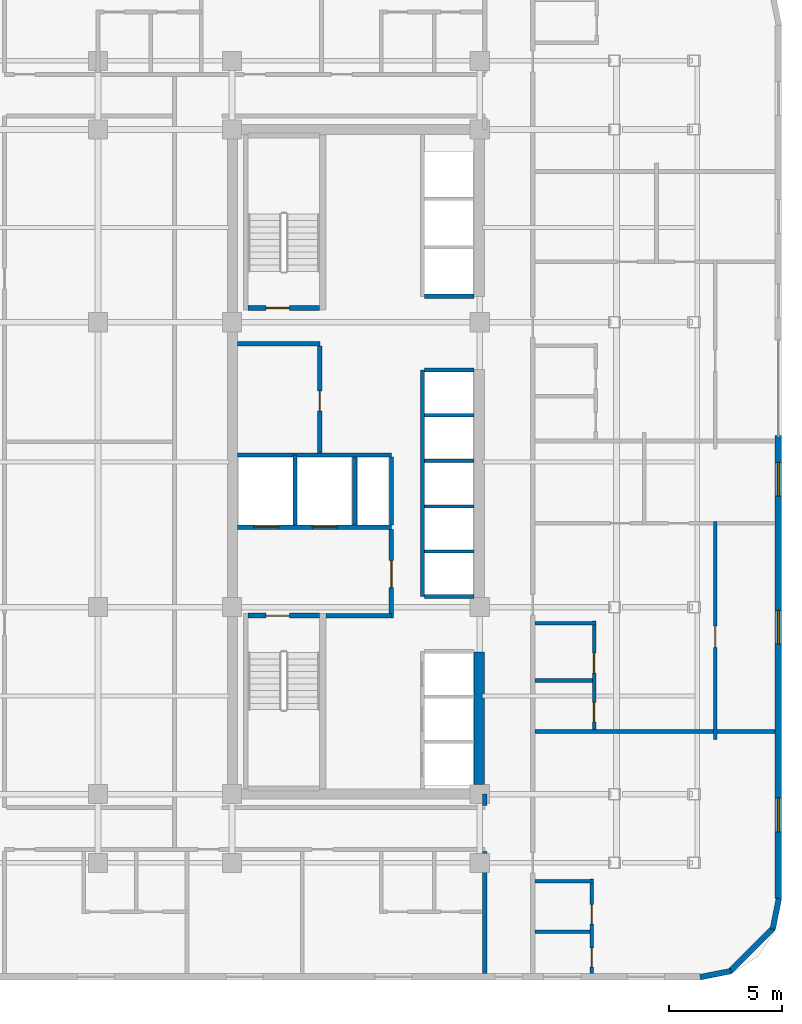
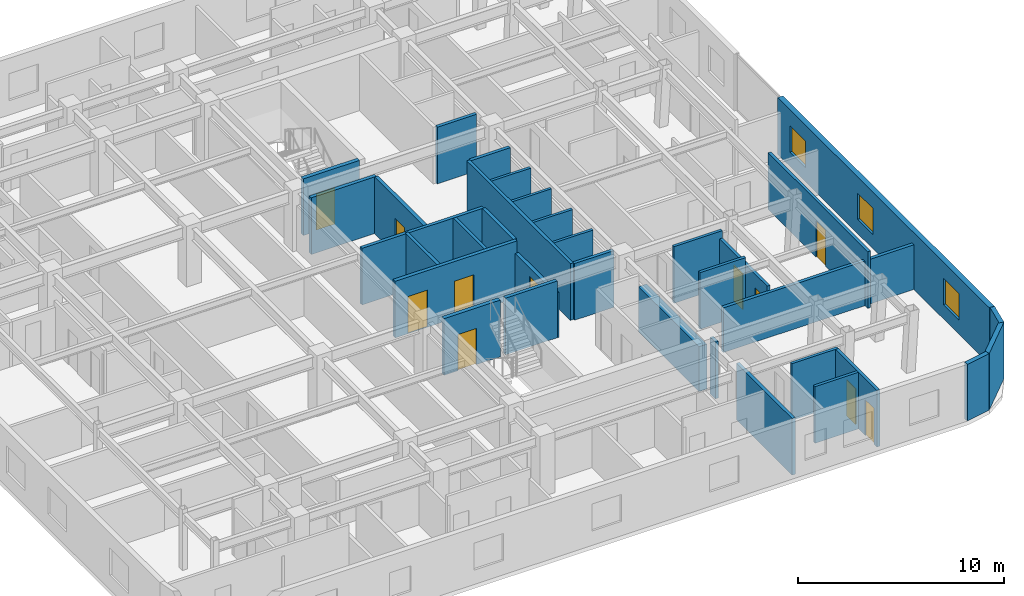
# One storey, part 9 of 13: 34 walls, 11 doors, 3 windows, 14 openings.
"""IFC4 building model written with IfcOpenShell, lengths in metres."""

from ifc_helpers import new_model, si_unit, direction, frame, frame_2d, origin, place, context, subcontext, project, spatial, rectangle, extrude, material, layer, layer_set, type_object, element, fill, save


model = new_model("IFC4")

# Units and contexts
model_context = context("Model", 3, precision=1e-05, world=origin(), true_north=direction((0.0, 1.0)))
body_context = subcontext(model_context, "Body", "Model", "MODEL_VIEW")
ifc_project = project(units=[si_unit("LENGTHUNIT", "METRE"), si_unit("AREAUNIT", "SQUARE_METRE"), si_unit("VOLUMEUNIT", "CUBIC_METRE"), si_unit("PLANEANGLEUNIT", "RADIAN"), si_unit("MASSUNIT", "GRAM", prefix="KILO")], contexts=[model_context])

# Site, building, storey
site_placement = place(None, origin())
site = spatial("IfcSite", under=ifc_project, at=site_placement, CompositionType="ELEMENT")
building_placement = place(site_placement, origin())
building = spatial("IfcBuilding", under=site, at=building_placement, Name="Ochreholt Gables", CompositionType="ELEMENT")
storey_placement = place(building_placement, frame((0.0, 0.0, 34.800048828125)))
storey = spatial("IfcBuildingStorey", under=building, at=storey_placement, Name="L08", CompositionType="ELEMENT", Elevation=34.800048828125)

# Wall
ifc_material_1 = material(Name="Concrete 60 MPa", Category="concrete")
ifc_layer_1 = layer(ifc_material_1, 0.449951171875, Name="Concrete 60 MPa")
ifc_layer_set_1 = layer_set([ifc_layer_1], Name="Concrete 60 MPa")
wall_type_1 = type_object("IfcWallType", Name="WALL-CSW-450", PredefinedType="SHEAR", material=ifc_layer_set_1)
wall_1_placement = place(storey_placement, frame((35.175048828125, 9.675048828125, 0.0), z_axis=(0.0, 0.0, 1.0), x_axis=(0.0, 1.0, 0.0)))
element("IfcWall", 1, at=wall_1_placement, inside=storey, type_object=wall_type_1, Name="L08 Core South-East Shear Wall", PredefinedType="SHEAR", context=body_context, shape_type="SweptSolid", body=[
    extrude(rectangle(XDim=5.875, YDim=0.449951171875, at=frame_2d((2.9375, 0.0))), origin(), (0.0, 0.0, 1.0), 2.6669921875),
])

# Wall, openings, windows
ifc_material_2 = material(Name="Precast concrete 40 MPa", Category="concrete")
ifc_layer_2 = layer(ifc_material_2, 0.2900390625, Name="Precast concrete 40 MPa")
ifc_layer_set_2 = layer_set([ifc_layer_2], Name="Precast concrete 40 MPa")
wall_type_2 = type_object("IfcWallType", Name="WALL-EXT-290", PredefinedType="SOLIDWALL", material=ifc_layer_set_2)
wall_2_placement = place(storey_placement, frame((48.455078125, 4.6201171875, 0.0), z_axis=(0.0, 0.0, 1.0), x_axis=(0.0, 1.0, 0.0)))
wall_2 = element("IfcWall", 2, at=wall_2_placement, inside=storey, type_object=wall_type_2, Name="L08 East Facade Wall 1", PredefinedType="SOLIDWALL", context=body_context, shape_type="SweptSolid", body=[
    extrude(rectangle(XDim=20.5498046875, YDim=0.2900390625, at=frame_2d((10.27490234375, 0.0))), origin(), (0.0, 0.0, 1.0), 3.35986328125),
])
opening_1_placement = place(wall_2_placement, frame((2.9599609375, 0.0, 0.85009765625)))
opening_1 = element("IfcOpeningElement", 3, at=opening_1_placement, cuts=wall_2, Name="Opening WN-2", PredefinedType="OPENING", context=body_context, shape_type="SweptSolid", body=[
    extrude(rectangle(XDim=1.5, YDim=1.550048828125, at=frame_2d((0.75, 0.77490234375))), frame((0.0, 0.155029296875, 0.0), z_axis=(0.0, -1.0, 0.0), x_axis=(1.0, 0.0, 0.0)), (0.0, 0.0, 1.0), 0.31005859375),
])
opening_2_placement = place(wall_2_placement, frame((11.2900390625, 0.0, 0.85009765625)))
opening_2 = element("IfcOpeningElement", 4, at=opening_2_placement, cuts=wall_2, Name="Opening WN-2", PredefinedType="OPENING", context=body_context, shape_type="SweptSolid", body=[
    extrude(rectangle(XDim=1.5, YDim=1.550048828125, at=frame_2d((0.75, 0.77490234375))), frame((0.0, 0.155029296875, 0.0), z_axis=(0.0, -1.0, 0.0), x_axis=(1.0, 0.0, 0.0)), (0.0, 0.0, 1.0), 0.31005859375),
])
opening_3_placement = place(wall_2_placement, frame((17.85498046875, 0.0, 0.85009765625)))
opening_3 = element("IfcOpeningElement", 5, at=opening_3_placement, cuts=wall_2, Name="Opening WN-2", PredefinedType="OPENING", context=body_context, shape_type="SweptSolid", body=[
    extrude(rectangle(XDim=1.5, YDim=1.550048828125, at=frame_2d((0.75, 0.77490234375))), frame((0.0, 0.155029296875, 0.0), z_axis=(0.0, -1.0, 0.0), x_axis=(1.0, 0.0, 0.0)), (0.0, 0.0, 1.0), 0.31005859375),
])
ifc_material_3 = material(Name="Triple-Glazed Thermally Broken Aluminium Window", Category="aluminium")
window_type = type_object("IfcWindowType", Name="WIN-RES-1500", PartitioningType="SINGLE_PANEL", PredefinedType="WINDOW", material=ifc_material_3)
window_1_placement = place(opening_1_placement, origin())
window_1 = element("IfcWindow", 6, at=window_1_placement, inside=storey, type_object=window_type, Name="L08 Window W-EXT-E1-L08-1", OverallHeight=1.550048828125, OverallWidth=1.5, PartitioningType="SINGLE_PANEL", PredefinedType="WINDOW", context=body_context, shape_type="SweptSolid", body=[
    extrude(rectangle(XDim=1.5, YDim=1.550048828125, at=frame_2d((0.75, 0.77490234375))), frame((0.0, 0.030029296875, 0.0), z_axis=(0.0, -1.0, 0.0), x_axis=(1.0, 0.0, 0.0)), (0.0, 0.0, 1.0), 0.06005859375),
])
fill(opening_1, window_1)
window_2_placement = place(opening_2_placement, origin())
window_2 = element("IfcWindow", 7, at=window_2_placement, inside=storey, type_object=window_type, Name="L08 Window W-EXT-E1-L08-2", OverallHeight=1.550048828125, OverallWidth=1.5, PartitioningType="SINGLE_PANEL", PredefinedType="WINDOW", context=body_context, shape_type="SweptSolid", body=[
    extrude(rectangle(XDim=1.5, YDim=1.550048828125, at=frame_2d((0.75, 0.77490234375))), frame((0.0, 0.030029296875, 0.0), z_axis=(0.0, -1.0, 0.0), x_axis=(1.0, 0.0, 0.0)), (0.0, 0.0, 1.0), 0.06005859375),
])
fill(opening_2, window_2)
window_3_placement = place(opening_3_placement, origin())
window_3 = element("IfcWindow", 8, at=window_3_placement, inside=storey, type_object=window_type, Name="L08 Window W-EXT-E1-L08-3", OverallHeight=1.550048828125, OverallWidth=1.5, PartitioningType="SINGLE_PANEL", PredefinedType="WINDOW", context=body_context, shape_type="SweptSolid", body=[
    extrude(rectangle(XDim=1.5, YDim=1.550048828125, at=frame_2d((0.75, 0.77490234375))), frame((0.0, 0.030029296875, 0.0), z_axis=(0.0, -1.0, 0.0), x_axis=(1.0, 0.0, 0.0)), (0.0, 0.0, 1.0), 0.06005859375),
])
fill(opening_3, window_3)

# Walls
ifc_layer_3 = layer(ifc_material_2, 0.25, Name="Precast concrete 40 MPa")
ifc_layer_set_3 = layer_set([ifc_layer_3], Name="Precast concrete 40 MPa")
wall_type_3 = type_object("IfcWallType", Name="WALL-EXT-CNR", PredefinedType="SOLIDWALL", material=ifc_layer_set_3)
wall_3_placement = place(storey_placement, frame((44.9833984375, 1.124267578125, 0.0), z_axis=(0.0, 0.0, 1.0), x_axis=(0.980809899341, 0.19496651342, 0.0)))
element("IfcWall", 9, at=wall_3_placement, inside=storey, type_object=wall_type_3, Name="L08 Rounded Corner Wall SE-1", PredefinedType="SOLIDWALL", context=body_context, shape_type="SweptSolid", body=[
    extrude(rectangle(XDim=1.388671875, YDim=0.25, at=frame_2d((0.6943359375, 0.0))), origin(), (0.0, 0.0, 1.0), 3.35986328125),
])
wall_4_placement = place(storey_placement, frame((46.294921875, 1.367919921875, 0.0), z_axis=(0.0, 0.0, 1.0), x_axis=(0.707106781187, 0.707106781187, 0.0)))
element("IfcWall", 10, at=wall_4_placement, inside=storey, type_object=wall_type_3, Name="L08 Rounded Corner Wall SE-2", PredefinedType="SOLIDWALL", context=body_context, shape_type="SweptSolid", body=[
    extrude(rectangle(XDim=2.7392578125, YDim=0.25, at=frame_2d((1.36962890625, 0.0))), origin(), (0.0, 0.0, 1.0), 3.35986328125),
])
wall_5_placement = place(storey_placement, frame((48.205078125, 3.25439453125, 0.0), z_axis=(0.0, 0.0, 1.0), x_axis=(0.19496651342, 0.980809899341, 0.0)))
element("IfcWall", 11, at=wall_5_placement, inside=storey, type_object=wall_type_3, Name="L08 Rounded Corner Wall SE-3", PredefinedType="SOLIDWALL", context=body_context, shape_type="SweptSolid", body=[
    extrude(rectangle(XDim=1.388671875, YDim=0.25, at=frame_2d((0.6943359375, 0.0))), origin(), (0.0, 0.0, 1.0), 3.35986328125),
])

# Wall, openings, doors
ifc_material_4 = material(Name="Concrete 40 MPa", Category="concrete")
ifc_layer_4 = layer(ifc_material_4, 0.199951171875, Name="Concrete 40 MPa")
ifc_layer_set_4 = layer_set([ifc_layer_4], Name="Concrete 40 MPa")
wall_type_4 = type_object("IfcWallType", Name="WALL-INT-CF200", PredefinedType="STANDARD", material=ifc_layer_set_4)
wall_6_placement = place(storey_placement, frame((24.449951171875, 21.090087890625, 0.0), z_axis=(0.0, 0.0, 1.0), x_axis=(1.0, 0.0, 0.0)))
wall_6 = element("IfcWall", 12, at=wall_6_placement, inside=storey, type_object=wall_type_4, Name="L08 Interior Wall WI-FFN-L08", PredefinedType="STANDARD", context=body_context, shape_type="SweptSolid", body=[
    extrude(rectangle(XDim=6.830078125, YDim=0.199951171875, at=frame_2d((3.4150390625, 0.0))), origin(), (0.0, 0.0, 1.0), 3.35986328125),
])
opening_4_placement = place(wall_6_placement, frame((0.719970703125, 0.0, 0.0)))
opening_4 = element("IfcOpeningElement", 13, at=opening_4_placement, cuts=wall_6, Name="Opening LD-FF", PredefinedType="OPENING", context=body_context, shape_type="SweptSolid", body=[
    extrude(rectangle(XDim=1.10009765625, YDim=2.199951171875, at=frame_2d((0.550048828125, 1.10009765625))), frame((0.0, 0.10986328125, 0.0), z_axis=(0.0, -1.0, 0.0), x_axis=(1.0, 0.0, 0.0)), (0.0, 0.0, 1.0), 0.219970703125),
])
opening_5_placement = place(wall_6_placement, frame((3.320068359375, 0.0, 0.0)))
opening_5 = element("IfcOpeningElement", 14, at=opening_5_placement, cuts=wall_6, Name="Opening LD-FF", PredefinedType="OPENING", context=body_context, shape_type="SweptSolid", body=[
    extrude(rectangle(XDim=1.10009765625, YDim=2.199951171875, at=frame_2d((0.550048828125, 1.10009765625))), frame((0.0, 0.10986328125, 0.0), z_axis=(0.0, -1.0, 0.0), x_axis=(1.0, 0.0, 0.0)), (0.0, 0.0, 1.0), 0.219970703125),
])
ifc_material_5 = material(Name="Stainless Steel", Category="steel")
door_type_1 = type_object("IfcDoorType", Name="DR-LFT-FF1100", OperationType="NOTDEFINED", PredefinedType="DOOR", material=ifc_material_5)
door_1_placement = place(opening_4_placement, origin())
door_1 = element("IfcDoor", 15, at=door_1_placement, inside=storey, type_object=door_type_1, Name="L08 Door LD-FF1-L08", OperationType="SLIDING_TO_LEFT", OverallHeight=2.199951171875, OverallWidth=1.10009765625, PredefinedType="DOOR", context=body_context, shape_type="SweptSolid", body=[
    extrude(rectangle(XDim=1.10009765625, YDim=2.199951171875, at=frame_2d((0.550048828125, 1.10009765625))), frame((0.0, 0.02490234375, 0.0), z_axis=(0.0, -1.0, 0.0), x_axis=(1.0, 0.0, 0.0)), (0.0, 0.0, 1.0), 0.050048828125),
])
fill(opening_4, door_1)
door_2_placement = place(opening_5_placement, origin())
door_2 = element("IfcDoor", 16, at=door_2_placement, inside=storey, type_object=door_type_1, Name="L08 Door LD-FF2-L08", OperationType="SLIDING_TO_LEFT", OverallHeight=2.199951171875, OverallWidth=1.10009765625, PredefinedType="DOOR", context=body_context, shape_type="SweptSolid", body=[
    extrude(rectangle(XDim=1.10009765625, YDim=2.199951171875, at=frame_2d((0.550048828125, 1.10009765625))), frame((0.0, 0.02490234375, 0.0), z_axis=(0.0, -1.0, 0.0), x_axis=(1.0, 0.0, 0.0)), (0.0, 0.0, 1.0), 0.050048828125),
])
fill(opening_5, door_2)

# Wall
wall_7_placement = place(storey_placement, frame((28.3798828125, 17.169921875, 0.0), z_axis=(0.0, 0.0, 1.0), x_axis=(1.0, 0.0, 0.0)))
element("IfcWall", 17, at=wall_7_placement, inside=storey, type_object=wall_type_4, Name="L08 Interior Wall WI-FFS-L08", PredefinedType="STANDARD", context=body_context, shape_type="SweptSolid", body=[
    extrude(rectangle(XDim=2.900146484375, YDim=0.199951171875, at=frame_2d((1.4501953125, 0.0))), origin(), (0.0, 0.0, 1.0), 3.35986328125),
])

# Wall, opening, door
wall_8_placement = place(storey_placement, frame((31.280029296875, 17.070068359375, 0.0), z_axis=(0.0, 0.0, 1.0), x_axis=(0.0, 1.0, 0.0)))
wall_8 = element("IfcWall", 18, at=wall_8_placement, inside=storey, type_object=wall_type_4, Name="L08 Interior Wall WI-FFE-L08", PredefinedType="STANDARD", context=body_context, shape_type="SweptSolid", body=[
    extrude(rectangle(XDim=3.919921875, YDim=0.199951171875, at=frame_2d((1.9599609375, 0.0))), origin(), (0.0, 0.0, 1.0), 2.64892578125),
])
opening_6_placement = place(wall_8_placement, frame((1.35009765625, 0.0, 0.0)))
opening_6 = element("IfcOpeningElement", 19, at=opening_6_placement, cuts=wall_8, Name="Opening D-FFL", PredefinedType="OPENING", context=body_context, shape_type="SweptSolid", body=[
    extrude(rectangle(XDim=1.199951171875, YDim=2.14990234375, at=frame_2d((0.60009765625, 1.074951171875))), frame((0.0, 0.10986328125, 0.0), z_axis=(0.0, -1.0, 0.0), x_axis=(1.0, 0.0, 0.0)), (0.0, 0.0, 1.0), 0.219970703125),
])
ifc_material_6 = material(Name="Hollow Metal Steel", Category="steel")
door_type_2 = type_object("IfcDoorType", Name="DR-INT-FFL1200", OperationType="NOTDEFINED", PredefinedType="DOOR", material=ifc_material_6)
door_3_placement = place(opening_6_placement, origin())
door_3 = element("IfcDoor", 20, at=door_3_placement, inside=storey, type_object=door_type_2, Name="L08 Door D-FFL-L08", OperationType="SINGLE_SWING_LEFT", OverallHeight=2.14990234375, OverallWidth=1.199951171875, PredefinedType="DOOR", context=body_context, shape_type="SweptSolid", body=[
    extrude(rectangle(XDim=1.199951171875, YDim=2.14990234375, at=frame_2d((0.60009765625, 1.074951171875))), frame((0.0, 0.02490234375, 0.0), z_axis=(0.0, -1.0, 0.0), x_axis=(1.0, 0.0, 0.0)), (0.0, 0.0, 1.0), 0.050048828125),
])
fill(opening_6, door_3)

# Wall
wall_9_placement = place(storey_placement, frame((24.449951171875, 29.239990234375, 0.0), z_axis=(0.0, 0.0, 1.0), x_axis=(1.0, 0.0, 0.0)))
element("IfcWall", 21, at=wall_9_placement, inside=storey, type_object=wall_type_4, Name="L08 Interior Wall WI-SRVN-L08", PredefinedType="STANDARD", context=body_context, shape_type="SweptSolid", body=[
    extrude(rectangle(XDim=3.650146484375, YDim=0.199951171875, at=frame_2d((1.8251953125, 0.0))), origin(), (0.0, 0.0, 1.0), 3.35986328125),
])

# Wall, opening, door
wall_10_placement = place(storey_placement, frame((28.10009765625, 24.389892578125, 0.0), z_axis=(0.0, 0.0, 1.0), x_axis=(0.0, 1.0, 0.0)))
wall_10 = element("IfcWall", 22, at=wall_10_placement, inside=storey, type_object=wall_type_4, Name="L08 Interior Wall WI-SRVE-L08", PredefinedType="STANDARD", context=body_context, shape_type="SweptSolid", body=[
    extrude(rectangle(XDim=4.75, YDim=0.199951171875, at=frame_2d((2.375, 0.0))), origin(), (0.0, 0.0, 1.0), 3.35986328125),
])
opening_7_placement = place(wall_10_placement, frame((1.860107421875, 0.0, 0.0)))
opening_7 = element("IfcOpeningElement", 23, at=opening_7_placement, cuts=wall_10, Name="Opening D-SV1", PredefinedType="OPENING", context=body_context, shape_type="SweptSolid", body=[
    extrude(rectangle(XDim=0.89990234375, YDim=2.10009765625, at=frame_2d((0.449951171875, 1.050048828125))), frame((0.0, 0.10986328125, 0.0), z_axis=(0.0, -1.0, 0.0), x_axis=(1.0, 0.0, 0.0)), (0.0, 0.0, 1.0), 0.219970703125),
])
door_type_3 = type_object("IfcDoorType", Name="DR-INT-SRV900", OperationType="NOTDEFINED", PredefinedType="DOOR", material=ifc_material_6)
door_4_placement = place(opening_7_placement, origin())
door_4 = element("IfcDoor", 24, at=door_4_placement, inside=storey, type_object=door_type_3, Name="L08 Door D-SRV1-L08", OperationType="SINGLE_SWING_LEFT", OverallHeight=2.10009765625, OverallWidth=0.89990234375, PredefinedType="DOOR", context=body_context, shape_type="SweptSolid", body=[
    extrude(rectangle(XDim=0.89990234375, YDim=2.10009765625, at=frame_2d((0.449951171875, 1.050048828125))), frame((0.0, 0.02490234375, 0.0), z_axis=(0.0, -1.0, 0.0), x_axis=(1.0, 0.0, 0.0)), (0.0, 0.0, 1.0), 0.050048828125),
])
fill(opening_7, door_4)

# Walls
ifc_material_7 = material(Name="Fire-Rated Gypsum Acoustic Partition", Category="gypsum")
ifc_layer_5 = layer(ifc_material_7, 0.179931640625, Name="Fire-Rated Gypsum Acoustic Partition")
ifc_layer_set_5 = layer_set([ifc_layer_5], Name="Fire-Rated Gypsum Acoustic Partition")
wall_type_5 = type_object("IfcWallType", Name="WALL-INT-CR180", PredefinedType="STANDARD", material=ifc_layer_set_5)
wall_11_placement = place(storey_placement, frame((35.419921875, 8.739990234375, 0.0), z_axis=(0.0, 0.0, 1.0), x_axis=(0.0, 1.0, 0.0)))
element("IfcWall", 25, at=wall_11_placement, inside=storey, type_object=wall_type_5, Name="L08 Interior Wall WI-C1ESW2-L08", PredefinedType="STANDARD", context=body_context, shape_type="SweptSolid", body=[
    extrude(rectangle(XDim=0.510009765625, YDim=0.179931640625, at=frame_2d((0.2548828125, 0.0))), origin(), (0.0, 0.0, 1.0), 3.35986328125),
])
ifc_material_8 = material(Name="Double-Stud Acoustic Demising Wall", Category="gypsum")
ifc_layer_6 = layer(ifc_material_8, 0.179931640625, Name="Double-Stud Acoustic Demising Wall")
ifc_layer_set_6 = layer_set([ifc_layer_6], Name="Double-Stud Acoustic Demising Wall")
wall_type_6 = type_object("IfcWallType", Name="WALL-INT-DM180", PredefinedType="PARTITIONING", material=ifc_layer_set_6)
wall_12_placement = place(storey_placement, frame((35.419921875, 1.2900390625, 0.0), z_axis=(0.0, 0.0, 1.0), x_axis=(0.0, 1.0, 0.0)))
element("IfcWall", 26, at=wall_12_placement, inside=storey, type_object=wall_type_6, Name="L08 Interior Wall WI-C1ESW-L08", PredefinedType="PARTITIONING", context=body_context, shape_type="SweptSolid", body=[
    extrude(rectangle(XDim=5.419921875, YDim=0.179931640625, at=frame_2d((2.7099609375, 0.0))), origin(), (0.0, 0.0, 1.0), 3.35986328125),
])
wall_13_placement = place(storey_placement, frame((37.639892578125, 12.0400390625, 0.0), z_axis=(0.0, 0.0, 1.0), x_axis=(1.0, 0.0, 0.0)))
element("IfcWall", 27, at=wall_13_placement, inside=storey, type_object=wall_type_6, Name="L08 Interior Wall WI-UDE2-L08", PredefinedType="PARTITIONING", context=body_context, shape_type="SweptSolid", body=[
    extrude(rectangle(XDim=10.670166015625, YDim=0.179931640625, at=frame_2d((5.3349609375, 0.0))), origin(), (0.0, 0.0, 1.0), 2.64892578125),
])
ifc_material_9 = material(Name="Moisture-Resistant Plumbing Chase Wall", Category="gypsum")
ifc_layer_7 = layer(ifc_material_9, 0.159912109375, Name="Moisture-Resistant Plumbing Chase Wall")
ifc_layer_set_7 = layer_set([ifc_layer_7], Name="Moisture-Resistant Plumbing Chase Wall")
wall_type_7 = type_object("IfcWallType", Name="WALL-INT-PL160", PredefinedType="PLUMBINGWALL", material=ifc_layer_set_7)
wall_14_placement = place(storey_placement, frame((37.639892578125, 5.389892578125, 0.0), z_axis=(0.0, 0.0, 1.0), x_axis=(1.0, 0.0, 0.0)))
element("IfcWall", 28, at=wall_14_placement, inside=storey, type_object=wall_type_7, Name="L08 Interior Wall WU-L08E1-WYN", PredefinedType="PLUMBINGWALL", context=body_context, shape_type="SweptSolid", body=[
    extrude(rectangle(XDim=2.606201171875, YDim=0.159912109375, at=frame_2d((1.30322265625, 0.0))), origin(), (0.0, 0.0, 1.0), 3.35986328125),
])

# Wall, openings, doors
wall_15_placement = place(storey_placement, frame((40.166015625, 1.2900390625, 0.0), z_axis=(0.0, 0.0, 1.0), x_axis=(0.0, 1.0, 0.0)))
wall_15 = element("IfcWall", 29, at=wall_15_placement, inside=storey, type_object=wall_type_7, Name="L08 Interior Wall WU-L08E1-WX", PredefinedType="PLUMBINGWALL", context=body_context, shape_type="SweptSolid", body=[
    extrude(rectangle(XDim=4.18994140625, YDim=0.159912109375, at=frame_2d((2.094970703125, 0.0))), origin(), (0.0, 0.0, 1.0), 3.35986328125),
])
opening_8_placement = place(wall_15_placement, frame((0.280029296875, 0.0, 0.0)))
opening_8 = element("IfcOpeningElement", 30, at=opening_8_placement, cuts=wall_15, Name="Opening D-BT1", PredefinedType="OPENING", context=body_context, shape_type="SweptSolid", body=[
    extrude(rectangle(XDim=0.860107421875, YDim=2.1201171875, at=frame_2d((0.43017578125, 1.06005859375))), frame((0.0, 0.08984375, 0.0), z_axis=(0.0, -1.0, 0.0), x_axis=(1.0, 0.0, 0.0)), (0.0, 0.0, 1.0), 0.179931640625),
])
opening_9_placement = place(wall_15_placement, frame((2.18896484375, 0.0, 0.0)))
opening_9 = element("IfcOpeningElement", 31, at=opening_9_placement, cuts=wall_15, Name="Opening D-GN2", PredefinedType="OPENING", context=body_context, shape_type="SweptSolid", body=[
    extrude(rectangle(XDim=0.8798828125, YDim=2.1201171875, at=frame_2d((0.43994140625, 1.06005859375))), frame((0.0, 0.08984375, 0.0), z_axis=(0.0, -1.0, 0.0), x_axis=(1.0, 0.0, 0.0)), (0.0, 0.0, 1.0), 0.179931640625),
])
ifc_material_10 = material(Name="Engineered Oak Timber", Category="wood")
door_type_4 = type_object("IfcDoorType", Name="DR-INT-BTH860", OperationType="NOTDEFINED", PredefinedType="DOOR", material=ifc_material_10)
door_5_placement = place(opening_8_placement, origin())
door_5 = element("IfcDoor", 32, at=door_5_placement, inside=storey, type_object=door_type_4, Name="L08 Door D-U-L08E1-BTH", OperationType="SINGLE_SWING_LEFT", OverallHeight=2.1201171875, OverallWidth=0.860107421875, PredefinedType="DOOR", context=body_context, shape_type="SweptSolid", body=[
    extrude(rectangle(XDim=0.860107421875, YDim=2.1201171875, at=frame_2d((0.43017578125, 1.06005859375))), frame((0.0, 0.02490234375, 0.0), z_axis=(0.0, -1.0, 0.0), x_axis=(1.0, 0.0, 0.0)), (0.0, 0.0, 1.0), 0.050048828125),
])
fill(opening_8, door_5)
door_type_5 = type_object("IfcDoorType", Name="DR-INT-GEN880", OperationType="NOTDEFINED", PredefinedType="DOOR", material=ifc_material_10)
door_6_placement = place(opening_9_placement, origin())
door_6 = element("IfcDoor", 33, at=door_6_placement, inside=storey, type_object=door_type_5, Name="L08 Door D-U-L08E1-KIT", OperationType="SINGLE_SWING_RIGHT", OverallHeight=2.1201171875, OverallWidth=0.8798828125, PredefinedType="DOOR", context=body_context, shape_type="SweptSolid", body=[
    extrude(rectangle(XDim=0.8798828125, YDim=2.1201171875, at=frame_2d((0.43994140625, 1.06005859375))), frame((0.0, 0.02490234375, 0.0), z_axis=(0.0, -1.0, 0.0), x_axis=(1.0, 0.0, 0.0)), (0.0, 0.0, 1.0), 0.050048828125),
])
fill(opening_9, door_6)

# Walls
wall_16_placement = place(storey_placement, frame((37.639892578125, 3.14892578125, 0.0), z_axis=(0.0, 0.0, 1.0), x_axis=(1.0, 0.0, 0.0)))
element("IfcWall", 34, at=wall_16_placement, inside=storey, type_object=wall_type_7, Name="L08 Interior Wall WU-L08E1-WM", PredefinedType="PLUMBINGWALL", context=body_context, shape_type="SweptSolid", body=[
    extrude(rectangle(XDim=2.446044921875, YDim=0.159912109375, at=frame_2d((1.22314453125, 0.0))), origin(), (0.0, 0.0, 1.0), 3.35986328125),
])
wall_17_placement = place(storey_placement, frame((37.639892578125, 16.8369140625, 0.0), z_axis=(0.0, 0.0, 1.0), x_axis=(1.0, 0.0, 0.0)))
element("IfcWall", 35, at=wall_17_placement, inside=storey, type_object=wall_type_7, Name="L08 Interior Wall WU-L08E2-FYN", PredefinedType="PLUMBINGWALL", context=body_context, shape_type="SweptSolid", body=[
    extrude(rectangle(XDim=2.712158203125, YDim=0.159912109375, at=frame_2d((1.35595703125, 0.0))), origin(), (0.0, 0.0, 1.0), 3.35986328125),
])

# Wall, openings, doors
wall_18_placement = place(storey_placement, frame((40.27197265625, 12.1298828125, 0.0), z_axis=(0.0, 0.0, 1.0), x_axis=(0.0, 1.0, 0.0)))
wall_18 = element("IfcWall", 36, at=wall_18_placement, inside=storey, type_object=wall_type_7, Name="L08 Interior Wall WU-L08E2-WX", PredefinedType="PLUMBINGWALL", context=body_context, shape_type="SweptSolid", body=[
    extrude(rectangle(XDim=4.797119140625, YDim=0.159912109375, at=frame_2d((2.3984375, 0.0))), origin(), (0.0, 0.0, 1.0), 2.931884765625),
])
opening_10_placement = place(wall_18_placement, frame((0.330078125, 0.0, 0.0)))
opening_10 = element("IfcOpeningElement", 37, at=opening_10_placement, cuts=wall_18, Name="Opening D-BT1", PredefinedType="OPENING", context=body_context, shape_type="SweptSolid", body=[
    extrude(rectangle(XDim=0.860107421875, YDim=2.1201171875, at=frame_2d((0.43017578125, 1.06005859375))), frame((0.0, 0.08984375, 0.0), z_axis=(0.0, -1.0, 0.0), x_axis=(1.0, 0.0, 0.0)), (0.0, 0.0, 1.0), 0.179931640625),
])
opening_11_placement = place(wall_18_placement, frame((2.4951171875, 0.0, 0.0)))
opening_11 = element("IfcOpeningElement", 38, at=opening_11_placement, cuts=wall_18, Name="Opening D-GN2", PredefinedType="OPENING", context=body_context, shape_type="SweptSolid", body=[
    extrude(rectangle(XDim=0.8798828125, YDim=2.1201171875, at=frame_2d((0.43994140625, 1.06005859375))), frame((0.0, 0.08984375, 0.0), z_axis=(0.0, -1.0, 0.0), x_axis=(1.0, 0.0, 0.0)), (0.0, 0.0, 1.0), 0.179931640625),
])
door_7_placement = place(opening_10_placement, origin())
door_7 = element("IfcDoor", 39, at=door_7_placement, inside=storey, type_object=door_type_4, Name="L08 Door D-U-L08E2-BTH", OperationType="SINGLE_SWING_RIGHT", OverallHeight=2.1201171875, OverallWidth=0.860107421875, PredefinedType="DOOR", context=body_context, shape_type="SweptSolid", body=[
    extrude(rectangle(XDim=0.860107421875, YDim=2.1201171875, at=frame_2d((0.43017578125, 1.06005859375))), frame((0.0, 0.02490234375, 0.0), z_axis=(0.0, -1.0, 0.0), x_axis=(1.0, 0.0, 0.0)), (0.0, 0.0, 1.0), 0.050048828125),
])
fill(opening_10, door_7)
door_8_placement = place(opening_11_placement, origin())
door_8 = element("IfcDoor", 40, at=door_8_placement, inside=storey, type_object=door_type_5, Name="L08 Door D-U-L08E2-KIT", OperationType="SINGLE_SWING_LEFT", OverallHeight=2.1201171875, OverallWidth=0.8798828125, PredefinedType="DOOR", context=body_context, shape_type="SweptSolid", body=[
    extrude(rectangle(XDim=0.8798828125, YDim=2.1201171875, at=frame_2d((0.43994140625, 1.06005859375))), frame((0.0, 0.02490234375, 0.0), z_axis=(0.0, -1.0, 0.0), x_axis=(1.0, 0.0, 0.0)), (0.0, 0.0, 1.0), 0.050048828125),
])
fill(opening_11, door_8)

# Wall
wall_19_placement = place(storey_placement, frame((37.639892578125, 14.295166015625, 0.0), z_axis=(0.0, 0.0, 1.0), x_axis=(1.0, 0.0, 0.0)))
element("IfcWall", 41, at=wall_19_placement, inside=storey, type_object=wall_type_7, Name="L08 Interior Wall WU-L08E2-WK", PredefinedType="PLUMBINGWALL", context=body_context, shape_type="SweptSolid", body=[
    extrude(rectangle(XDim=2.552001953125, YDim=0.159912109375, at=frame_2d((1.27587890625, 0.0))), origin(), (0.0, 0.0, 1.0), 3.35986328125),
])

# Wall, opening, door
ifc_material_11 = material(Name="Gypsum Acoustic Stud Partition", Category="gypsum")
ifc_layer_8 = layer(ifc_material_11, 0.159912109375, Name="Gypsum Acoustic Stud Partition")
ifc_layer_set_8 = layer_set([ifc_layer_8], Name="Gypsum Acoustic Stud Partition")
wall_type_8 = type_object("IfcWallType", Name="WALL-INT-PT160", PredefinedType="PARTITIONING", material=ifc_layer_set_8)
wall_20_placement = place(storey_placement, frame((45.64990234375, 11.679931640625, 0.0), z_axis=(0.0, 0.0, 1.0), x_axis=(0.0, 1.0, 0.0)))
wall_20 = element("IfcWall", 42, at=wall_20_placement, inside=storey, type_object=wall_type_8, Name="L08 Interior Wall WU-L08E2-DNV", PredefinedType="PARTITIONING", context=body_context, shape_type="SweptSolid", body=[
    extrude(rectangle(XDim=9.68017578125, YDim=0.159912109375, at=frame_2d((4.840087890625, 0.0))), origin(), (0.0, 0.0, 1.0), 3.35986328125),
])
opening_12_placement = place(wall_20_placement, frame((4.080078125, 0.0, 0.0)))
opening_12 = element("IfcOpeningElement", 43, at=opening_12_placement, cuts=wall_20, Name="Opening D-GN1", PredefinedType="OPENING", context=body_context, shape_type="SweptSolid", body=[
    extrude(rectangle(XDim=0.949951171875, YDim=2.14990234375, at=frame_2d((0.47509765625, 1.074951171875))), frame((0.0, 0.08984375, 0.0), z_axis=(0.0, -1.0, 0.0), x_axis=(1.0, 0.0, 0.0)), (0.0, 0.0, 1.0), 0.179931640625),
])
door_type_6 = type_object("IfcDoorType", Name="DR-INT-GEN950", OperationType="NOTDEFINED", PredefinedType="DOOR", material=ifc_material_10)
door_9_placement = place(opening_12_placement, origin())
door_9 = element("IfcDoor", 44, at=door_9_placement, inside=storey, type_object=door_type_6, Name="L08 Door D-U-L08E2-DIN", OperationType="SINGLE_SWING_RIGHT", OverallHeight=2.14990234375, OverallWidth=0.949951171875, PredefinedType="DOOR", context=body_context, shape_type="SweptSolid", body=[
    extrude(rectangle(XDim=0.949951171875, YDim=2.14990234375, at=frame_2d((0.47509765625, 1.074951171875))), frame((0.0, 0.02490234375, 0.0), z_axis=(0.0, -1.0, 0.0), x_axis=(1.0, 0.0, 0.0)), (0.0, 0.0, 1.0), 0.050048828125),
])
fill(opening_12, door_9)

# Walls
ifc_material_12 = material(Name="Gypsum Shaftliner and Steel Stud", Category="steel")
ifc_layer_9 = layer(ifc_material_12, 0.14990234375, Name="Gypsum Shaftliner and Steel Stud")
ifc_layer_set_9 = layer_set([ifc_layer_9], Name="Gypsum Shaftliner and Steel Stud")
wall_type_9 = type_object("IfcWallType", Name="WALL-INT-SH150", PredefinedType="STANDARD", material=ifc_layer_set_9)
for number, where, z_axis, x_axis, name in (
    (45, (32.739990234375, 20.02001953125, 0.0), (0.0, 0.0, 1.0), (1.0, 0.0, 0.0), "L08 Interior Wall WI-LFHE-DH1-L08"),
    (46, (32.739990234375, 22.02001953125, 0.0), (0.0, 0.0, 1.0), (1.0, 0.0, 0.0), "L08 Interior Wall WI-LFHE-DH2-L08"),
    (47, (32.739990234375, 24.050048828125, 0.0), (0.0, 0.0, 1.0), (1.0, 0.0, 0.0), "L08 Interior Wall WI-LFHE-DHE-L08"),
    (48, (32.739990234375, 26.070068359375, 0.0), (0.0, 0.0, 1.0), (1.0, 0.0, 0.0), "L08 Interior Wall WI-LFHE-DEX1-L08"),
):
    element("IfcWall", number, at=place(storey_placement, frame(where, z_axis=z_axis, x_axis=x_axis)), inside=storey, type_object=wall_type_9, Name=name, PredefinedType="STANDARD", context=body_context, shape_type="SweptSolid", body=[
        extrude(rectangle(XDim=2.2099609375, YDim=0.14990234375, at=frame_2d((1.10498046875, 0.0))), origin(), (0.0, 0.0, 1.0), 3.35986328125),
    ])
ifc_layer_10 = layer(ifc_material_12, 0.179931640625, Name="Gypsum Shaftliner and Steel Stud")
ifc_layer_set_10 = layer_set([ifc_layer_10], Name="Gypsum Shaftliner and Steel Stud")
wall_type_10 = type_object("IfcWallType", Name="WALL-INT-SH180", PredefinedType="STANDARD", material=ifc_layer_set_10)
wall_21_placement = place(storey_placement, frame((27.0, 21.18994140625, 0.0), z_axis=(0.0, 0.0, 1.0), x_axis=(0.0, 1.0, 0.0)))
element("IfcWall", 49, at=wall_21_placement, inside=storey, type_object=wall_type_10, Name="L08 Interior Wall WI-FFDIV-L08", PredefinedType="STANDARD", context=body_context, shape_type="SweptSolid", body=[
    extrude(rectangle(XDim=3.110107421875, YDim=0.179931640625, at=frame_2d((1.55517578125, 0.0))), origin(), (0.0, 0.0, 1.0), 3.35986328125),
])
wall_22_placement = place(storey_placement, frame((24.449951171875, 24.300048828125, 0.0), z_axis=(0.0, 0.0, 1.0), x_axis=(1.0, 0.0, 0.0)))
element("IfcWall", 50, at=wall_22_placement, inside=storey, type_object=wall_type_10, Name="L08 Interior Wall WI-FFBK-L08", PredefinedType="STANDARD", context=body_context, shape_type="SweptSolid", body=[
    extrude(rectangle(XDim=6.830078125, YDim=0.179931640625, at=frame_2d((3.4150390625, 0.0))), origin(), (0.0, 0.0, 1.0), 3.35986328125),
])
for number, where, z_axis, x_axis, name in (
    (51, (29.64990234375, 21.18994140625, 0.0), (0.0, 0.0, 1.0), (0.0, 1.0, 0.0), "L08 Interior Wall WI-FFSH-L08"),
    (52, (31.280029296875, 21.18994140625, 0.0), (0.0, 0.0, 1.0), (0.0, 1.0, 0.0), "L08 Interior Wall WI-RSE-L08"),
):
    element("IfcWall", number, at=place(storey_placement, frame(where, z_axis=z_axis, x_axis=x_axis)), inside=storey, type_object=wall_type_10, Name=name, PredefinedType="STANDARD", context=body_context, shape_type="SweptSolid", body=[
        extrude(rectangle(XDim=3.02001953125, YDim=0.179931640625, at=frame_2d((1.510009765625, 0.0))), origin(), (0.0, 0.0, 1.0), 3.35986328125),
    ])
wall_23_placement = place(storey_placement, frame((32.64990234375, 18.02001953125, 0.0), z_axis=(0.0, 0.0, 1.0), x_axis=(0.0, 1.0, 0.0)))
element("IfcWall", 53, at=wall_23_placement, inside=storey, type_object=wall_type_10, Name="L08 Interior Wall WI-LFHE-FR-L08", PredefinedType="STANDARD", context=body_context, shape_type="SweptSolid", body=[
    extrude(rectangle(XDim=10.06005859375, YDim=0.179931640625, at=frame_2d((5.030029296875, 0.0))), origin(), (0.0, 0.0, 1.0), 3.35986328125),
])
for number, where, z_axis, x_axis, name in (
    (54, (32.739990234375, 18.02001953125, 0.0), (0.0, 0.0, 1.0), (1.0, 0.0, 0.0), "L08 Interior Wall WI-LFHE-S-L08"),
    (55, (32.739990234375, 28.080078125, 0.0), (0.0, 0.0, 1.0), (1.0, 0.0, 0.0), "L08 Interior Wall WI-LFHE-N-L08"),
    (56, (32.739990234375, 31.35009765625, 0.0), (0.0, 0.0, 1.0), (1.0, 0.0, 0.0), "L08 Interior Wall WI-LFM-S-L08"),
):
    element("IfcWall", number, at=place(storey_placement, frame(where, z_axis=z_axis, x_axis=x_axis)), inside=storey, type_object=wall_type_10, Name=name, PredefinedType="STANDARD", context=body_context, shape_type="SweptSolid", body=[
        extrude(rectangle(XDim=2.2099609375, YDim=0.179931640625, at=frame_2d((1.10498046875, 0.0))), origin(), (0.0, 0.0, 1.0), 3.35986328125),
    ])

# Wall, opening, door
ifc_material_13 = material(Name="Concrete 50 MPa", Category="concrete")
ifc_layer_11 = layer(ifc_material_13, 0.219970703125, Name="Concrete 50 MPa")
ifc_layer_set_11 = layer_set([ifc_layer_11], Name="Concrete 50 MPa")
wall_type_11 = type_object("IfcWallType", Name="WALL-STW-220", PredefinedType="SHEAR", material=ifc_layer_set_11)
wall_24_placement = place(storey_placement, frame((24.919921875, 17.169921875, 0.0), z_axis=(0.0, 0.0, 1.0), x_axis=(1.0, 0.0, 0.0)))
wall_24 = element("IfcWall", 57, at=wall_24_placement, inside=storey, type_object=wall_type_11, Name="L08 Exit Stair 1 North Wall", PredefinedType="SHEAR", context=body_context, shape_type="SweptSolid", body=[
    extrude(rectangle(XDim=3.16015625, YDim=0.219970703125, at=frame_2d((1.580078125, 0.0))), origin(), (0.0, 0.0, 1.0), 3.35986328125),
])
opening_13_placement = place(wall_24_placement, frame((0.780029296875, 0.0, 0.0)))
opening_13 = element("IfcOpeningElement", 58, at=opening_13_placement, cuts=wall_24, Name="Opening D-STC", PredefinedType="OPENING", context=body_context, shape_type="SweptSolid", body=[
    extrude(rectangle(XDim=1.050048828125, YDim=2.14990234375, at=frame_2d((0.52490234375, 1.074951171875))), frame((0.0, 0.119873046875, 0.0), z_axis=(0.0, -1.0, 0.0), x_axis=(1.0, 0.0, 0.0)), (0.0, 0.0, 1.0), 0.239990234375),
])
door_type_7 = type_object("IfcDoorType", Name="DR-INT-ST1050", OperationType="NOTDEFINED", PredefinedType="DOOR", material=ifc_material_6)
door_10_placement = place(opening_13_placement, frame((1.050048828125, 0.0, 0.0), z_axis=(0.0, 0.0, 1.0), x_axis=(-1.0, 0.0, 0.0)))
door_10 = element("IfcDoor", 59, at=door_10_placement, inside=storey, type_object=door_type_7, Name="L08 Door D-ST1-L08", OperationType="SINGLE_SWING_LEFT", OverallHeight=2.14990234375, OverallWidth=1.050048828125, PredefinedType="DOOR", context=body_context, shape_type="SweptSolid", body=[
    extrude(rectangle(XDim=1.050048828125, YDim=2.14990234375, at=frame_2d((0.52490234375, 1.074951171875))), frame((0.0, 0.02490234375, 0.0), z_axis=(0.0, -1.0, 0.0), x_axis=(1.0, 0.0, 0.0)), (0.0, 0.0, 1.0), 0.050048828125),
])
fill(opening_13, door_10)

wall_25_placement = place(storey_placement, frame((24.919921875, 30.830078125, 0.0), z_axis=(0.0, 0.0, 1.0), x_axis=(1.0, 0.0, 0.0)))
wall_25 = element("IfcWall", 60, at=wall_25_placement, inside=storey, type_object=wall_type_11, Name="L08 Exit Stair 2 South Wall", PredefinedType="SHEAR", context=body_context, shape_type="SweptSolid", body=[
    extrude(rectangle(XDim=3.16015625, YDim=0.219970703125, at=frame_2d((1.580078125, 0.0))), origin(), (0.0, 0.0, 1.0), 3.35986328125),
])
opening_14_placement = place(wall_25_placement, frame((0.780029296875, 0.0, 0.0)))
opening_14 = element("IfcOpeningElement", 61, at=opening_14_placement, cuts=wall_25, Name="Opening D-STC", PredefinedType="OPENING", context=body_context, shape_type="SweptSolid", body=[
    extrude(rectangle(XDim=1.050048828125, YDim=2.14990234375, at=frame_2d((0.52490234375, 1.074951171875))), frame((0.0, 0.119873046875, 0.0), z_axis=(0.0, -1.0, 0.0), x_axis=(1.0, 0.0, 0.0)), (0.0, 0.0, 1.0), 0.239990234375),
])
door_11_placement = place(opening_14_placement, origin())
door_11 = element("IfcDoor", 62, at=door_11_placement, inside=storey, type_object=door_type_7, Name="L08 Door D-ST2-L08", OperationType="SINGLE_SWING_RIGHT", OverallHeight=2.14990234375, OverallWidth=1.050048828125, PredefinedType="DOOR", context=body_context, shape_type="SweptSolid", body=[
    extrude(rectangle(XDim=1.050048828125, YDim=2.14990234375, at=frame_2d((0.52490234375, 1.074951171875))), frame((0.0, 0.02490234375, 0.0), z_axis=(0.0, -1.0, 0.0), x_axis=(1.0, 0.0, 0.0)), (0.0, 0.0, 1.0), 0.050048828125),
])
fill(opening_14, door_11)

save(model, "model.ifc")
